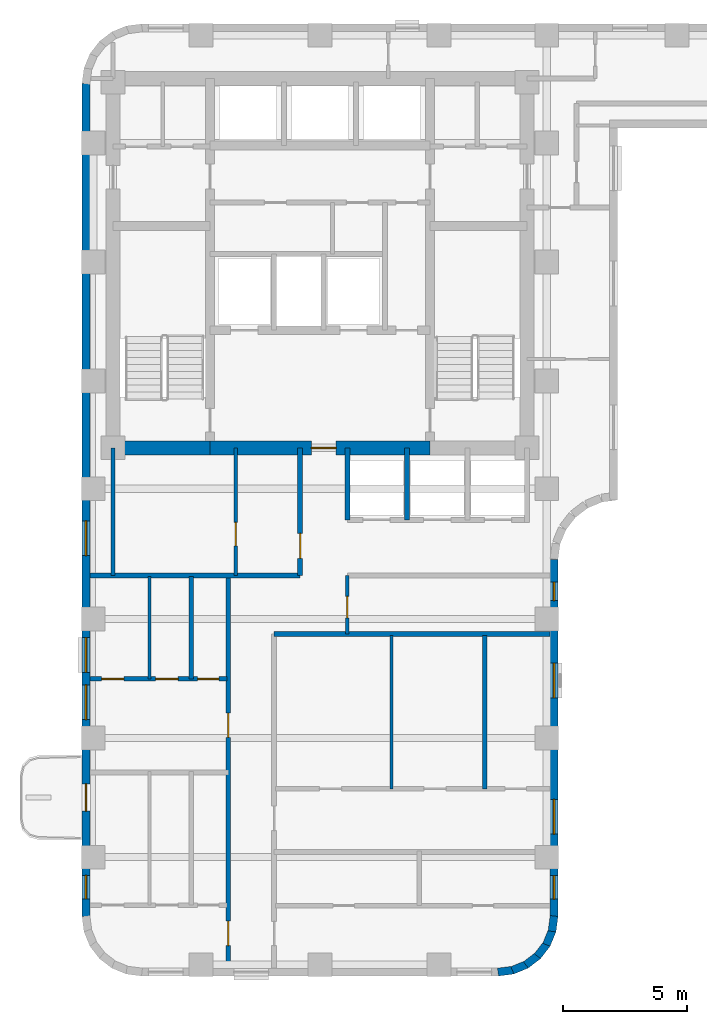
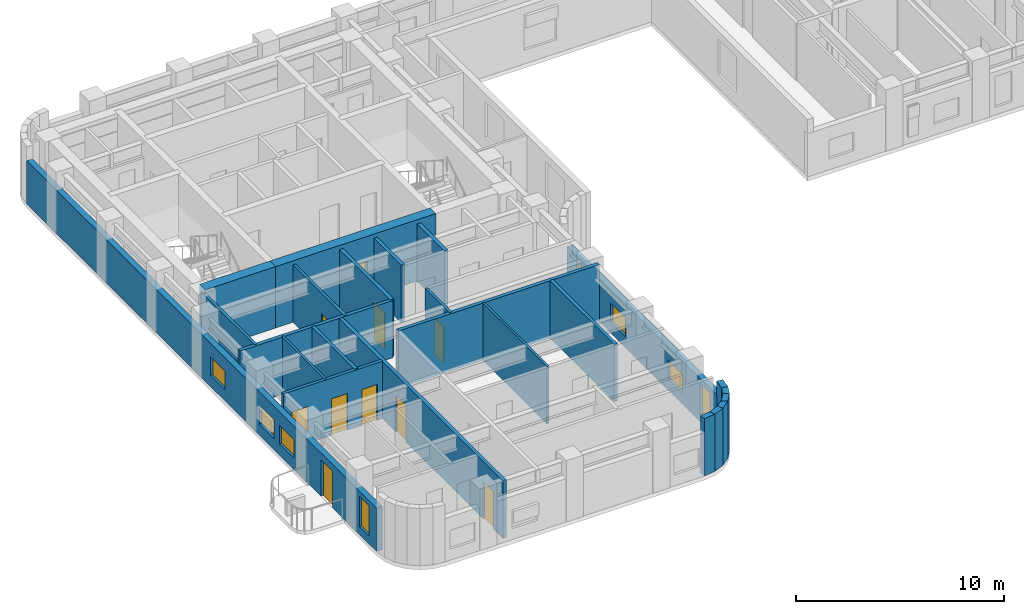
# One storey, part 3 of 10: 24 walls, 10 doors, 8 windows, 18 openings.
"""IFC4 building model written with IfcOpenShell, lengths in metres."""

from ifc_helpers import new_model, si_unit, direction, frame, frame_2d, origin, place, context, subcontext, project, spatial, rectangle, extrude, material, layer, layer_set, type_object, element, fill, save


model = new_model("IFC4")

# Units and contexts
model_context = context("Model", 3, precision=1e-05, world=origin(), true_north=direction((0.0, 1.0)))
body_context = subcontext(model_context, "Body", "Model", "MODEL_VIEW")
ifc_project = project(units=[si_unit("LENGTHUNIT", "METRE"), si_unit("AREAUNIT", "SQUARE_METRE"), si_unit("VOLUMEUNIT", "CUBIC_METRE"), si_unit("PLANEANGLEUNIT", "RADIAN"), si_unit("MASSUNIT", "GRAM", prefix="KILO")], contexts=[model_context])

# Site, building, storey
site_placement = place(None, origin())
site = spatial("IfcSite", under=ifc_project, at=site_placement, CompositionType="ELEMENT")
building_placement = place(site_placement, origin())
building = spatial("IfcBuilding", under=site, at=building_placement, Name="Orvandelia Arch Residences", CompositionType="ELEMENT")
storey_placement = place(building_placement, frame((0.0, 0.0, 179.199951171875)))
storey = spatial("IfcBuildingStorey", under=building, at=storey_placement, Name="L47", CompositionType="ELEMENT", Elevation=179.199951171875)

# Wall
ifc_material_1 = material(Name="Concrete C60/75", Category="concrete")
ifc_layer_1 = layer(ifc_material_1, 0.550048828125, Name="Concrete C60/75", Category="concrete")
ifc_layer_set_1 = layer_set([ifc_layer_1], Name="Concrete C60/75")
wall_type_1 = type_object("IfcWallType", Name="WL-CORE-550", PredefinedType="SHEAR", material=ifc_layer_set_1)
wall_1_placement = place(storey_placement, frame((6.050048828125, 30.89990234375, 0.0), z_axis=(0.0, 0.0, 1.0), x_axis=(1.0, 0.0, 0.0)))
element("IfcWall", 1, at=wall_1_placement, inside=storey, type_object=wall_type_1, Name="Core Shear Wall L47-SW", PredefinedType="SHEAR", context=body_context, shape_type="SweptSolid", body=[
    extrude(rectangle(XDim=3.909912109375, YDim=0.550048828125, at=frame_2d((1.955078125, 0.0))), origin(), (0.0, 0.0, 1.0), 3.60009765625),
])

# Wall, opening, door
wall_2_placement = place(storey_placement, frame((9.9599609375, 30.89990234375, 0.0), z_axis=(0.0, 0.0, 1.0), x_axis=(1.0, 0.0, 0.0)))
wall_2 = element("IfcWall", 2, at=wall_2_placement, inside=storey, type_object=wall_type_1, Name="Core Shear Wall L47-SM", PredefinedType="SHEAR", context=body_context, shape_type="SweptSolid", body=[
    extrude(rectangle(XDim=8.880126953125, YDim=0.550048828125, at=frame_2d((4.43994140625, 0.0))), origin(), (0.0, 0.0, 1.0), 3.60009765625),
])
opening_1_placement = place(wall_2_placement, frame((4.090087890625, 0.0, 0.0)))
opening_1 = element("IfcOpeningElement", 3, at=opening_1_placement, cuts=wall_2, Name="Opening D6", PredefinedType="OPENING", context=body_context, shape_type="SweptSolid", body=[
    extrude(rectangle(XDim=1.0, YDim=2.14990234375, at=frame_2d((0.5, 1.074951171875))), frame((0.0, 0.28515625, 0.0), z_axis=(0.0, -1.0, 0.0), x_axis=(1.0, 0.0, 0.0)), (0.0, 0.0, 1.0), 0.570068359375),
])
ifc_material_2 = material(Name="Smokeproof Painted Steel Fire Door", Category="steel")
door_type_1 = type_object("IfcDoorType", Name="DR-FD60-1000", OperationType="NOTDEFINED", PredefinedType="DOOR", material=ifc_material_2)
door_1_placement = place(opening_1_placement, origin())
door_1 = element("IfcDoor", 4, at=door_1_placement, inside=storey, type_object=door_type_1, Name="Firefighting Lobby Smokeproof Door L47", OperationType="SINGLE_SWING_LEFT", OverallHeight=2.14990234375, OverallWidth=1.0, PredefinedType="DOOR", context=body_context, shape_type="SweptSolid", body=[
    extrude(rectangle(XDim=1.0, YDim=2.14990234375, at=frame_2d((0.5, 1.074951171875))), frame((0.0, 0.02490234375, 0.0), z_axis=(0.0, -1.0, 0.0), x_axis=(1.0, 0.0, 0.0)), (0.0, 0.0, 1.0), 0.050048828125),
])
fill(opening_1, door_1)

# Wall, openings, doors
ifc_material_3 = material(Name="Fire-Rated Corridor Partition")
ifc_layer_2 = layer(ifc_material_3, 0.199951171875, Name="Fire-Rated Corridor Partition")
ifc_layer_set_2 = layer_set([ifc_layer_2], Name="Fire-Rated Corridor Partition")
wall_type_2 = type_object("IfcWallType", Name="WL-CORR-200", PredefinedType="PARTITIONING", material=ifc_layer_set_2)
wall_3_placement = place(storey_placement, frame((10.699951171875, 9.919921875, 0.0), z_axis=(0.0, 0.0, 1.0), x_axis=(0.0, 1.0, 0.0)))
wall_3 = element("IfcWall", 5, at=wall_3_placement, inside=storey, type_object=wall_type_2, Name="Interior Partition Wall WL-L47-WC-W", PredefinedType="PARTITIONING", context=body_context, shape_type="SweptSolid", body=[
    extrude(rectangle(XDim=15.830078125, YDim=0.199951171875, at=frame_2d((7.9150390625, 0.0))), origin(), (0.0, 0.0, 1.0), 3.360107421875),
])
opening_2_placement = place(wall_3_placement, frame((0.910888671875, 0.0, 0.0)))
opening_2 = element("IfcOpeningElement", 6, at=opening_2_placement, cuts=wall_3, Name="Opening D1", PredefinedType="OPENING", context=body_context, shape_type="SweptSolid", body=[
    extrude(rectangle(XDim=0.97998046875, YDim=2.179931640625, at=frame_2d((0.489990234375, 1.08984375))), frame((0.0, 0.10986328125, 0.0), z_axis=(0.0, -1.0, 0.0), x_axis=(1.0, 0.0, 0.0)), (0.0, 0.0, 1.0), 0.219970703125),
])
opening_3_placement = place(wall_3_placement, frame((9.302001953125, 0.0, 0.0)))
opening_3 = element("IfcOpeningElement", 7, at=opening_3_placement, cuts=wall_3, Name="Opening D1", PredefinedType="OPENING", context=body_context, shape_type="SweptSolid", body=[
    extrude(rectangle(XDim=0.97998046875, YDim=2.179931640625, at=frame_2d((0.489990234375, 1.08984375))), frame((0.0, 0.10986328125, 0.0), z_axis=(0.0, -1.0, 0.0), x_axis=(1.0, 0.0, 0.0)), (0.0, 0.0, 1.0), 0.219970703125),
])
ifc_material_4 = material(Name="Solid-Core Timber Acoustic Fire Door", Category="wood")
door_type_2 = type_object("IfcDoorType", Name="DR-ENT-980", OperationType="NOTDEFINED", PredefinedType="DOOR", material=ifc_material_4)
door_2_placement = place(opening_2_placement, origin())
door_2 = element("IfcDoor", 8, at=door_2_placement, inside=storey, type_object=door_type_2, Name="Unit L47-01 Entrance Door", OperationType="SINGLE_SWING_LEFT", OverallHeight=2.179931640625, OverallWidth=0.97998046875, PredefinedType="DOOR", context=body_context, shape_type="SweptSolid", body=[
    extrude(rectangle(XDim=0.97998046875, YDim=2.179931640625, at=frame_2d((0.489990234375, 1.08984375))), frame((0.0, 0.02490234375, 0.0), z_axis=(0.0, -1.0, 0.0), x_axis=(1.0, 0.0, 0.0)), (0.0, 0.0, 1.0), 0.050048828125),
])
fill(opening_2, door_2)
door_3_placement = place(opening_3_placement, origin())
door_3 = element("IfcDoor", 9, at=door_3_placement, inside=storey, type_object=door_type_2, Name="Unit L47-02 Entrance Door", OperationType="SINGLE_SWING_RIGHT", OverallHeight=2.179931640625, OverallWidth=0.97998046875, PredefinedType="DOOR", context=body_context, shape_type="SweptSolid", body=[
    extrude(rectangle(XDim=0.97998046875, YDim=2.179931640625, at=frame_2d((0.489990234375, 1.08984375))), frame((0.0, 0.02490234375, 0.0), z_axis=(0.0, -1.0, 0.0), x_axis=(1.0, 0.0, 0.0)), (0.0, 0.0, 1.0), 0.050048828125),
])
fill(opening_3, door_3)

# Walls
wall_4_placement = place(storey_placement, frame((12.550048828125, 23.39990234375, 0.0), z_axis=(0.0, 0.0, 1.0), x_axis=(1.0, 0.0, 0.0)))
element("IfcWall", 10, at=wall_4_placement, inside=storey, type_object=wall_type_2, Name="Interior Partition Wall WL-L47-WLNK-S", PredefinedType="PARTITIONING", context=body_context, shape_type="SweptSolid", body=[
    extrude(rectangle(XDim=11.1298828125, YDim=0.199951171875, at=frame_2d((5.56494140625, 0.0))), origin(), (0.0, 0.0, 1.0), 3.360107421875),
])
wall_5_placement = place(storey_placement, frame((5.1201171875, 25.75, 0.0), z_axis=(0.0, 0.0, 1.0), x_axis=(1.0, 0.0, 0.0)))
element("IfcWall", 11, at=wall_5_placement, inside=storey, type_object=wall_type_2, Name="Interior Partition Wall WL-L47-WLNK-N", PredefinedType="PARTITIONING", context=body_context, shape_type="SweptSolid", body=[
    extrude(rectangle(XDim=8.47998046875, YDim=0.199951171875, at=frame_2d((4.239990234375, 0.0))), origin(), (0.0, 0.0, 1.0), 3.360107421875),
])

# Wall, openings, windows
ifc_material_5 = material(Name="Precast concrete C40/50", Category="concrete")
ifc_layer_3 = layer(ifc_material_5, 0.320068359375, Name="Precast concrete C40/50", Category="concrete")
ifc_layer_set_3 = layer_set([ifc_layer_3], Name="Precast concrete C40/50")
wall_type_3 = type_object("IfcWallType", Name="WL-EXT-STONE-320", PredefinedType="STANDARD", material=ifc_layer_set_3)
wall_6_placement = place(storey_placement, frame((23.840087890625, 26.39990234375, 0.0), z_axis=(0.0, 0.0, 1.0), x_axis=(0.0, -1.0, 0.0)))
wall_6 = element("IfcWall", 12, at=wall_6_placement, inside=storey, type_object=wall_type_3, Name="Coral-Limestone Precast Facade Wall L47-031", PredefinedType="STANDARD", context=body_context, shape_type="SweptSolid", body=[
    extrude(rectangle(XDim=14.39990234375, YDim=0.320068359375, at=frame_2d((7.199951171875, 0.0))), origin(), (0.0, 0.0, 1.0), 2.5400390625),
])
opening_4_placement = place(wall_6_placement, frame((9.676025390625, 0.0, 0.64990234375)))
opening_4 = element("IfcOpeningElement", 13, at=opening_4_placement, cuts=wall_6, Name="Opening W10", PredefinedType="OPENING", context=body_context, shape_type="SweptSolid", body=[
    extrude(rectangle(XDim=1.39990234375, YDim=1.10009765625, at=frame_2d((0.699951171875, 0.550048828125))), frame((0.0, 0.169921875, 0.0), z_axis=(0.0, -1.0, 0.0), x_axis=(1.0, 0.0, 0.0)), (0.0, 0.0, 1.0), 0.340087890625),
])
opening_5_placement = place(wall_6_placement, frame((12.75048828125, 0.0, 0.449951171875)))
opening_5 = element("IfcOpeningElement", 14, at=opening_5_placement, cuts=wall_6, Name="Opening W4", PredefinedType="OPENING", context=body_context, shape_type="SweptSolid", body=[
    extrude(rectangle(XDim=0.949951171875, YDim=1.800048828125, at=frame_2d((0.47509765625, 0.89990234375))), frame((0.0, 0.169921875, 0.0), z_axis=(0.0, -1.0, 0.0), x_axis=(1.0, 0.0, 0.0)), (0.0, 0.0, 1.0), 0.340087890625),
])
opening_6_placement = place(wall_6_placement, frame((4.1826171875, 0.0, 0.64990234375)))
opening_6 = element("IfcOpeningElement", 15, at=opening_6_placement, cuts=wall_6, Name="Opening W10", PredefinedType="OPENING", context=body_context, shape_type="SweptSolid", body=[
    extrude(rectangle(XDim=1.39990234375, YDim=1.10009765625, at=frame_2d((0.699951171875, 0.550048828125))), frame((0.0, 0.169921875, 0.0), z_axis=(0.0, -1.0, 0.0), x_axis=(1.0, 0.0, 0.0)), (0.0, 0.0, 1.0), 0.340087890625),
])
opening_7_placement = place(wall_6_placement, frame((0.907470703125, 0.0, 0.449951171875)))
opening_7 = element("IfcOpeningElement", 16, at=opening_7_placement, cuts=wall_6, Name="Opening W11", PredefinedType="OPENING", context=body_context, shape_type="SweptSolid", body=[
    extrude(rectangle(XDim=0.75, YDim=1.800048828125, at=frame_2d((0.375, 0.89990234375))), frame((0.0, 0.169921875, 0.0), z_axis=(0.0, -1.0, 0.0), x_axis=(1.0, 0.0, 0.0)), (0.0, 0.0, 1.0), 0.340087890625),
])
ifc_material_6 = material(Name="Tempered Low-E Insulated Glazing", Category="glass")
window_type_1 = type_object("IfcWindowType", Name="WIN-BED-0750x1800", PartitioningType="SINGLE_PANEL", PredefinedType="WINDOW", material=ifc_material_6)
window_1_placement = place(opening_7_placement, origin())
window_1 = element("IfcWindow", 17, at=window_1_placement, inside=storey, type_object=window_type_1, Name="Recessed Punched Window L47-019", OverallHeight=1.800048828125, OverallWidth=0.75, PartitioningType="SINGLE_PANEL", PredefinedType="WINDOW", context=body_context, shape_type="SweptSolid", body=[
    extrude(rectangle(XDim=0.75, YDim=1.800048828125, at=frame_2d((0.375, 0.89990234375))), frame((0.0, 0.030029296875, 0.0), z_axis=(0.0, -1.0, 0.0), x_axis=(1.0, 0.0, 0.0)), (0.0, 0.0, 1.0), 0.06005859375),
])
fill(opening_7, window_1)
window_type_2 = type_object("IfcWindowType", Name="WIN-CLR-1400x1100", PartitioningType="SINGLE_PANEL", PredefinedType="WINDOW", material=ifc_material_6)
window_2_placement = place(opening_4_placement, origin())
window_2 = element("IfcWindow", 18, at=window_2_placement, inside=storey, type_object=window_type_2, Name="Recessed Punched Window L47-016", OverallHeight=1.10009765625, OverallWidth=1.39990234375, PartitioningType="SINGLE_PANEL", PredefinedType="WINDOW", context=body_context, shape_type="SweptSolid", body=[
    extrude(rectangle(XDim=1.39990234375, YDim=1.10009765625, at=frame_2d((0.699951171875, 0.550048828125))), frame((0.0, 0.030029296875, 0.0), z_axis=(0.0, -1.0, 0.0), x_axis=(1.0, 0.0, 0.0)), (0.0, 0.0, 1.0), 0.06005859375),
])
fill(opening_4, window_2)
window_3_placement = place(opening_6_placement, origin())
window_3 = element("IfcWindow", 19, at=window_3_placement, inside=storey, type_object=window_type_2, Name="Recessed Punched Window L47-018", OverallHeight=1.10009765625, OverallWidth=1.39990234375, PartitioningType="SINGLE_PANEL", PredefinedType="WINDOW", context=body_context, shape_type="SweptSolid", body=[
    extrude(rectangle(XDim=1.39990234375, YDim=1.10009765625, at=frame_2d((0.699951171875, 0.550048828125))), frame((0.0, 0.030029296875, 0.0), z_axis=(0.0, -1.0, 0.0), x_axis=(1.0, 0.0, 0.0)), (0.0, 0.0, 1.0), 0.06005859375),
])
fill(opening_6, window_3)
window_type_3 = type_object("IfcWindowType", Name="WIN-RES-0950x1800", PartitioningType="SINGLE_PANEL", PredefinedType="WINDOW", material=ifc_material_6)
window_4_placement = place(opening_5_placement, origin())
window_4 = element("IfcWindow", 20, at=window_4_placement, inside=storey, type_object=window_type_3, Name="Recessed Punched Window L47-017", OverallHeight=1.800048828125, OverallWidth=0.949951171875, PartitioningType="SINGLE_PANEL", PredefinedType="WINDOW", context=body_context, shape_type="SweptSolid", body=[
    extrude(rectangle(XDim=0.949951171875, YDim=1.800048828125, at=frame_2d((0.47509765625, 0.89990234375))), frame((0.0, 0.030029296875, 0.0), z_axis=(0.0, -1.0, 0.0), x_axis=(1.0, 0.0, 0.0)), (0.0, 0.0, 1.0), 0.06005859375),
])
fill(opening_5, window_4)

# Walls
wall_7_placement = place(storey_placement, frame((23.84130859375, 12.02099609375, 0.0), z_axis=(0.0, 0.0, 1.0), x_axis=(-0.130504898859, -0.991447664465, 0.0)))
element("IfcWall", 21, at=wall_7_placement, inside=storey, type_object=wall_type_3, Name="Coral-Limestone Precast Facade Wall L47-032", PredefinedType="STANDARD", context=body_context, shape_type="SweptSolid", body=[
    extrude(rectangle(XDim=0.626708984375, YDim=0.320068359375, at=frame_2d((0.3134765625, 0.0))), origin(), (0.0, 0.0, 1.0), 3.360107421875),
])
for number, where, z_axis, x_axis, name in (
    (22, (23.7705078125, 11.43994140625, 0.0), (0.0, 0.0, 1.0), (-0.382650053678, -0.92389335771, 0.0), "Coral-Limestone Precast Facade Wall L47-033"),
    (23, (23.551513671875, 10.8974609375, 0.0), (0.0, 0.0, 1.0), (-0.608693302629, -0.793405610854, 0.0), "Coral-Limestone Precast Facade Wall L47-034"),
    (24, (23.19970703125, 10.4296875, 0.0), (0.0, 0.0, 1.0), (-0.793405610854, -0.608693302629, 0.0), "Coral-Limestone Precast Facade Wall L47-035"),
    (25, (22.73876953125, 10.0693359375, 0.0), (0.0, 0.0, 1.0), (-0.92389335771, -0.382650053678, 0.0), "Coral-Limestone Precast Facade Wall L47-036"),
    (26, (22.2001953125, 9.84033203125, 0.0), (0.0, 0.0, 1.0), (-0.9914410257, -0.130555323746, 0.0), "Coral-Limestone Precast Facade Wall L47-037"),
):
    element("IfcWall", number, at=place(storey_placement, frame(where, z_axis=z_axis, x_axis=x_axis)), inside=storey, type_object=wall_type_3, Name=name, PredefinedType="STANDARD", context=body_context, shape_type="SweptSolid", body=[
        extrude(rectangle(XDim=0.62646484375, YDim=0.320068359375, at=frame_2d((0.313232421875, 0.0))), origin(), (0.0, 0.0, 1.0), 3.360107421875),
    ])

# Wall, openings, door, windows
wall_8_placement = place(storey_placement, frame((4.9599609375, 12.0, 0.0), z_axis=(0.0, 0.0, 1.0), x_axis=(0.0, 1.0, 0.0)))
wall_8 = element("IfcWall", 27, at=wall_8_placement, inside=storey, type_object=wall_type_3, Name="Coral-Limestone Precast Facade Wall L47-045", PredefinedType="STANDARD", context=body_context, shape_type="SweptSolid", body=[
    extrude(rectangle(XDim=33.60009765625, YDim=0.320068359375, at=frame_2d((16.800048828125, 0.0))), origin(), (0.0, 0.0, 1.0), 2.5400390625),
])
opening_8_placement = place(wall_8_placement, frame((4.25, 0.0, 0.0)))
opening_8 = element("IfcOpeningElement", 28, at=opening_8_placement, cuts=wall_8, Name="Opening BD1", PredefinedType="OPENING", context=body_context, shape_type="SweptSolid", body=[
    extrude(rectangle(XDim=1.10009765625, YDim=2.14990234375, at=frame_2d((0.550048828125, 1.074951171875))), frame((0.0, 0.169921875, 0.0), z_axis=(0.0, -1.0, 0.0), x_axis=(1.0, 0.0, 0.0)), (0.0, 0.0, 1.0), 0.340087890625),
])
opening_9_placement = place(wall_8_placement, frame((0.70849609375, 0.0, 0.449951171875)))
opening_9 = element("IfcOpeningElement", 29, at=opening_9_placement, cuts=wall_8, Name="Opening W4", PredefinedType="OPENING", context=body_context, shape_type="SweptSolid", body=[
    extrude(rectangle(XDim=0.949951171875, YDim=1.800048828125, at=frame_2d((0.47509765625, 0.89990234375))), frame((0.0, 0.169921875, 0.0), z_axis=(0.0, -1.0, 0.0), x_axis=(1.0, 0.0, 0.0)), (0.0, 0.0, 1.0), 0.340087890625),
])
opening_10_placement = place(wall_8_placement, frame((9.844482421875, 0.0, 0.64990234375)))
opening_10 = element("IfcOpeningElement", 30, at=opening_10_placement, cuts=wall_8, Name="Opening W10", PredefinedType="OPENING", context=body_context, shape_type="SweptSolid", body=[
    extrude(rectangle(XDim=1.39990234375, YDim=1.10009765625, at=frame_2d((0.699951171875, 0.550048828125))), frame((0.0, 0.169921875, 0.0), z_axis=(0.0, -1.0, 0.0), x_axis=(1.0, 0.0, 0.0)), (0.0, 0.0, 1.0), 0.340087890625),
])
opening_11_placement = place(wall_8_placement, frame((7.939453125, 0.0, 0.64990234375)))
opening_11 = element("IfcOpeningElement", 31, at=opening_11_placement, cuts=wall_8, Name="Opening W10", PredefinedType="OPENING", context=body_context, shape_type="SweptSolid", body=[
    extrude(rectangle(XDim=1.39990234375, YDim=1.10009765625, at=frame_2d((0.699951171875, 0.550048828125))), frame((0.0, 0.169921875, 0.0), z_axis=(0.0, -1.0, 0.0), x_axis=(1.0, 0.0, 0.0)), (0.0, 0.0, 1.0), 0.340087890625),
])
opening_12_placement = place(wall_8_placement, frame((14.5576171875, 0.0, 0.64990234375)))
opening_12 = element("IfcOpeningElement", 32, at=opening_12_placement, cuts=wall_8, Name="Opening W10", PredefinedType="OPENING", context=body_context, shape_type="SweptSolid", body=[
    extrude(rectangle(XDim=1.39990234375, YDim=1.10009765625, at=frame_2d((0.699951171875, 0.550048828125))), frame((0.0, 0.169921875, 0.0), z_axis=(0.0, -1.0, 0.0), x_axis=(1.0, 0.0, 0.0)), (0.0, 0.0, 1.0), 0.340087890625),
])
ifc_material_7 = material(Name="Thermally Broken Aluminium Glazed Door", Category="aluminium")
door_type_3 = type_object("IfcDoorType", Name="DR-BAL-GLAZ-1100", OperationType="NOTDEFINED", PredefinedType="DOOR", material=ifc_material_7)
door_4_placement = place(opening_8_placement, origin())
door_4 = element("IfcDoor", 33, at=door_4_placement, inside=storey, type_object=door_type_3, Name="Tree Balcony Glazed Door BAL-L47-W1", OperationType="SINGLE_SWING_RIGHT", OverallHeight=2.14990234375, OverallWidth=1.10009765625, PredefinedType="DOOR", context=body_context, shape_type="SweptSolid", body=[
    extrude(rectangle(XDim=1.10009765625, YDim=2.14990234375, at=frame_2d((0.550048828125, 1.074951171875))), frame((0.0, 0.02490234375, 0.0), z_axis=(0.0, -1.0, 0.0), x_axis=(1.0, 0.0, 0.0)), (0.0, 0.0, 1.0), 0.050048828125),
])
fill(opening_8, door_4)
window_5_placement = place(opening_10_placement, origin())
window_5 = element("IfcWindow", 34, at=window_5_placement, inside=storey, type_object=window_type_2, Name="Recessed Punched Window L47-024", OverallHeight=1.10009765625, OverallWidth=1.39990234375, PartitioningType="SINGLE_PANEL", PredefinedType="WINDOW", context=body_context, shape_type="SweptSolid", body=[
    extrude(rectangle(XDim=1.39990234375, YDim=1.10009765625, at=frame_2d((0.699951171875, 0.550048828125))), frame((0.0, 0.030029296875, 0.0), z_axis=(0.0, -1.0, 0.0), x_axis=(1.0, 0.0, 0.0)), (0.0, 0.0, 1.0), 0.06005859375),
])
fill(opening_10, window_5)
window_6_placement = place(opening_11_placement, origin())
window_6 = element("IfcWindow", 35, at=window_6_placement, inside=storey, type_object=window_type_2, Name="Recessed Punched Window L47-025", OverallHeight=1.10009765625, OverallWidth=1.39990234375, PartitioningType="SINGLE_PANEL", PredefinedType="WINDOW", context=body_context, shape_type="SweptSolid", body=[
    extrude(rectangle(XDim=1.39990234375, YDim=1.10009765625, at=frame_2d((0.699951171875, 0.550048828125))), frame((0.0, 0.030029296875, 0.0), z_axis=(0.0, -1.0, 0.0), x_axis=(1.0, 0.0, 0.0)), (0.0, 0.0, 1.0), 0.06005859375),
])
fill(opening_11, window_6)
window_7_placement = place(opening_12_placement, origin())
window_7 = element("IfcWindow", 36, at=window_7_placement, inside=storey, type_object=window_type_2, Name="Recessed Punched Window L47-026", OverallHeight=1.10009765625, OverallWidth=1.39990234375, PartitioningType="SINGLE_PANEL", PredefinedType="WINDOW", context=body_context, shape_type="SweptSolid", body=[
    extrude(rectangle(XDim=1.39990234375, YDim=1.10009765625, at=frame_2d((0.699951171875, 0.550048828125))), frame((0.0, 0.030029296875, 0.0), z_axis=(0.0, -1.0, 0.0), x_axis=(1.0, 0.0, 0.0)), (0.0, 0.0, 1.0), 0.06005859375),
])
fill(opening_12, window_7)
window_8_placement = place(opening_9_placement, origin())
window_8 = element("IfcWindow", 37, at=window_8_placement, inside=storey, type_object=window_type_3, Name="Recessed Punched Window L47-023", OverallHeight=1.800048828125, OverallWidth=0.949951171875, PartitioningType="SINGLE_PANEL", PredefinedType="WINDOW", context=body_context, shape_type="SweptSolid", body=[
    extrude(rectangle(XDim=0.949951171875, YDim=1.800048828125, at=frame_2d((0.47509765625, 0.89990234375))), frame((0.0, 0.030029296875, 0.0), z_axis=(0.0, -1.0, 0.0), x_axis=(1.0, 0.0, 0.0)), (0.0, 0.0, 1.0), 0.06005859375),
])
fill(opening_9, window_8)

# Walls
ifc_material_8 = material(Name="Lightweight Gypsum Stud Partition")
ifc_layer_4 = layer(ifc_material_8, 0.1201171875, Name="Lightweight Gypsum Stud Partition")
ifc_layer_set_4 = layer_set([ifc_layer_4], Name="Lightweight Gypsum Stud Partition")
wall_type_4 = type_object("IfcWallType", Name="WL-PART-120", PredefinedType="PARTITIONING", material=ifc_layer_set_4)
wall_9_placement = place(storey_placement, frame((7.514892578125, 21.583984375, 0.0), z_axis=(0.0, 0.0, 1.0), x_axis=(0.0, 1.0, 0.0)))
element("IfcWall", 38, at=wall_9_placement, inside=storey, type_object=wall_type_4, Name="Interior Partition Wall WL-L47-U02-V1", PredefinedType="PARTITIONING", context=body_context, shape_type="SweptSolid", body=[
    extrude(rectangle(XDim=4.135986328125, YDim=0.1201171875, at=frame_2d((2.06787109375, 0.0))), origin(), (0.0, 0.0, 1.0), 3.360107421875),
])
wall_10_placement = place(storey_placement, frame((17.284912109375, 17.153076171875, 0.0), z_axis=(0.0, 0.0, 1.0), x_axis=(0.0, 1.0, 0.0)))
element("IfcWall", 39, at=wall_10_placement, inside=storey, type_object=wall_type_4, Name="Interior Partition Wall WL-L47-U04-V1", PredefinedType="PARTITIONING", context=body_context, shape_type="SweptSolid", body=[
    extrude(rectangle(XDim=6.18701171875, YDim=0.1201171875, at=frame_2d((3.093505859375, 0.0))), origin(), (0.0, 0.0, 1.0), 3.360107421875),
])
ifc_material_9 = material(Name="Acoustic Gypsum Stud Partition")
ifc_layer_5 = layer(ifc_material_9, 0.14990234375, Name="Acoustic Gypsum Stud Partition")
ifc_layer_set_5 = layer_set([ifc_layer_5], Name="Acoustic Gypsum Stud Partition")
wall_type_5 = type_object("IfcWallType", Name="WL-PART-150", PredefinedType="PARTITIONING", material=ifc_layer_set_5)
wall_11_placement = place(storey_placement, frame((6.050048828125, 25.75, 0.0), z_axis=(0.0, 0.0, 1.0), x_axis=(0.0, 1.0, 0.0)))
element("IfcWall", 40, at=wall_11_placement, inside=storey, type_object=wall_type_5, Name="Interior Partition Wall WL-L47-B1REUSE-W", PredefinedType="PARTITIONING", context=body_context, shape_type="SweptSolid", body=[
    extrude(rectangle(XDim=5.14990234375, YDim=0.14990234375, at=frame_2d((2.574951171875, 0.0))), origin(), (0.0, 0.0, 1.0), 3.360107421875),
])

# Wall, opening, door
wall_12_placement = place(storey_placement, frame((11.0, 25.75, 0.0), z_axis=(0.0, 0.0, 1.0), x_axis=(0.0, 1.0, 0.0)))
wall_12 = element("IfcWall", 41, at=wall_12_placement, inside=storey, type_object=wall_type_5, Name="Interior Partition Wall WL-L47-B1R-M2", PredefinedType="PARTITIONING", context=body_context, shape_type="SweptSolid", body=[
    extrude(rectangle(XDim=5.14990234375, YDim=0.14990234375, at=frame_2d((2.574951171875, 0.0))), origin(), (0.0, 0.0, 1.0), 3.360107421875),
])
opening_13_placement = place(wall_12_placement, frame((1.199951171875, 0.0, 0.0)))
opening_13 = element("IfcOpeningElement", 42, at=opening_13_placement, cuts=wall_12, Name="Opening D2", PredefinedType="OPENING", context=body_context, shape_type="SweptSolid", body=[
    extrude(rectangle(XDim=0.949951171875, YDim=2.14990234375, at=frame_2d((0.47509765625, 1.074951171875))), frame((0.0, 0.0849609375, 0.0), z_axis=(0.0, -1.0, 0.0), x_axis=(1.0, 0.0, 0.0)), (0.0, 0.0, 1.0), 0.169921875),
])
ifc_material_10 = material(Name="Solid-Core Timber Interior Fire Door", Category="wood")
door_type_4 = type_object("IfcDoorType", Name="DR-APT-950", OperationType="NOTDEFINED", PredefinedType="DOOR", material=ifc_material_10)
door_5_placement = place(opening_13_placement, origin())
door_5 = element("IfcDoor", 43, at=door_5_placement, inside=storey, type_object=door_type_4, Name="DR-L47-B1RW", OperationType="SINGLE_SWING_LEFT", OverallHeight=2.14990234375, OverallWidth=0.949951171875, PredefinedType="DOOR", context=body_context, shape_type="SweptSolid", body=[
    extrude(rectangle(XDim=0.949951171875, YDim=2.14990234375, at=frame_2d((0.47509765625, 1.074951171875))), frame((0.0, 0.02490234375, 0.0), z_axis=(0.0, -1.0, 0.0), x_axis=(1.0, 0.0, 0.0)), (0.0, 0.0, 1.0), 0.050048828125),
])
fill(opening_13, door_5)

wall_13_placement = place(storey_placement, frame((15.5, 23.39990234375, 0.0), z_axis=(0.0, 0.0, 1.0), x_axis=(0.0, 1.0, 0.0)))
wall_13 = element("IfcWall", 44, at=wall_13_placement, inside=storey, type_object=wall_type_5, Name="Interior Partition Wall WL-L47-WLNK-E", PredefinedType="PARTITIONING", context=body_context, shape_type="SweptSolid", body=[
    extrude(rectangle(XDim=2.35009765625, YDim=0.14990234375, at=frame_2d((1.175048828125, 0.0))), origin(), (0.0, 0.0, 1.0), 3.360107421875),
])
opening_14_placement = place(wall_13_placement, frame((0.64990234375, 0.0, 0.0)))
opening_14 = element("IfcOpeningElement", 45, at=opening_14_placement, cuts=wall_13, Name="Opening D4", PredefinedType="OPENING", context=body_context, shape_type="SweptSolid", body=[
    extrude(rectangle(XDim=0.860107421875, YDim=2.10009765625, at=frame_2d((0.43017578125, 1.050048828125))), frame((0.0, 0.0849609375, 0.0), z_axis=(0.0, -1.0, 0.0), x_axis=(1.0, 0.0, 0.0)), (0.0, 0.0, 1.0), 0.169921875),
])
ifc_material_11 = material(Name="Moisture-Sealed Timber Bathroom Door", Category="wood")
door_type_5 = type_object("IfcDoorType", Name="DR-WET-900", OperationType="NOTDEFINED", PredefinedType="DOOR", material=ifc_material_11)
door_6_placement = place(opening_14_placement, origin())
door_6 = element("IfcDoor", 46, at=door_6_placement, inside=storey, type_object=door_type_5, Name="DR-L47-WLNKST", OperationType="SINGLE_SWING_RIGHT", OverallHeight=2.10009765625, OverallWidth=0.860107421875, PredefinedType="DOOR", context=body_context, shape_type="SweptSolid", body=[
    extrude(rectangle(XDim=0.860107421875, YDim=2.10009765625, at=frame_2d((0.43017578125, 1.050048828125))), frame((0.0, 0.02490234375, 0.0), z_axis=(0.0, -1.0, 0.0), x_axis=(1.0, 0.0, 0.0)), (0.0, 0.0, 1.0), 0.050048828125),
])
fill(opening_14, door_6)

ifc_material_12 = material(Name="Fire-Rated Shaft Enclosure Wall")
ifc_layer_6 = layer(ifc_material_12, 0.199951171875, Name="Fire-Rated Shaft Enclosure Wall")
ifc_layer_set_6 = layer_set([ifc_layer_6], Name="Fire-Rated Shaft Enclosure Wall")
wall_type_6 = type_object("IfcWallType", Name="WL-SHAFT-200", PredefinedType="POLYGONAL", material=ifc_layer_set_6)
wall_14_placement = place(storey_placement, frame((13.60009765625, 25.75, 0.0), z_axis=(0.0, 0.0, 1.0), x_axis=(0.0, 1.0, 0.0)))
wall_14 = element("IfcWall", 47, at=wall_14_placement, inside=storey, type_object=wall_type_6, Name="Interior Partition Wall WL-L47-B1REUSE-E", PredefinedType="POLYGONAL", context=body_context, shape_type="SweptSolid", body=[
    extrude(rectangle(XDim=5.14990234375, YDim=0.199951171875, at=frame_2d((2.574951171875, 0.0))), origin(), (0.0, 0.0, 1.0), 3.360107421875),
])
opening_15_placement = place(wall_14_placement, frame((0.699951171875, 0.0, 0.0)))
opening_15 = element("IfcOpeningElement", 48, at=opening_15_placement, cuts=wall_14, Name="Opening D6", PredefinedType="OPENING", context=body_context, shape_type="SweptSolid", body=[
    extrude(rectangle(XDim=1.0, YDim=2.14990234375, at=frame_2d((0.5, 1.074951171875))), frame((0.0, 0.10986328125, 0.0), z_axis=(0.0, -1.0, 0.0), x_axis=(1.0, 0.0, 0.0)), (0.0, 0.0, 1.0), 0.219970703125),
])
door_7_placement = place(opening_15_placement, origin())
door_7 = element("IfcDoor", 49, at=door_7_placement, inside=storey, type_object=door_type_1, Name="DR-L47-B1RE", OperationType="SINGLE_SWING_LEFT", OverallHeight=2.14990234375, OverallWidth=1.0, PredefinedType="DOOR", context=body_context, shape_type="SweptSolid", body=[
    extrude(rectangle(XDim=1.0, YDim=2.14990234375, at=frame_2d((0.5, 1.074951171875))), frame((0.0, 0.02490234375, 0.0), z_axis=(0.0, -1.0, 0.0), x_axis=(1.0, 0.0, 0.0)), (0.0, 0.0, 1.0), 0.050048828125),
])
fill(opening_15, door_7)

# Walls
for number, where, z_axis, x_axis, name in (
    (50, (15.5, 28.0, 0.0), (0.0, 0.0, 1.0), (0.0, 1.0, 0.0), "Interior Partition Wall WL-L47-BNKM-W"),
    (51, (17.89990234375, 28.0, 0.0), (0.0, 0.0, 1.0), (0.0, 1.0, 0.0), "Interior Partition Wall WL-L47-BNKMD-1789"),
):
    element("IfcWall", number, at=place(storey_placement, frame(where, z_axis=z_axis, x_axis=x_axis)), inside=storey, type_object=wall_type_6, Name=name, PredefinedType="POLYGONAL", context=body_context, shape_type="SweptSolid", body=[
        extrude(rectangle(XDim=2.89990234375, YDim=0.199951171875, at=frame_2d((1.449951171875, 0.0))), origin(), (0.0, 0.0, 1.0), 3.360107421875),
    ])

# Wall, openings, doors
ifc_material_13 = material(Name="Moisture-Resistant Plumbing Wall")
ifc_layer_7 = layer(ifc_material_13, 0.179931640625, Name="Moisture-Resistant Plumbing Wall")
ifc_layer_set_7 = layer_set([ifc_layer_7], Name="Moisture-Resistant Plumbing Wall")
wall_type_7 = type_object("IfcWallType", Name="WL-WET-180", PredefinedType="PLUMBINGWALL", material=ifc_layer_set_7)
wall_15_placement = place(storey_placement, frame((5.1201171875, 21.583984375, 0.0), z_axis=(0.0, 0.0, 1.0), x_axis=(1.0, 0.0, 0.0)))
wall_15 = element("IfcWall", 52, at=wall_15_placement, inside=storey, type_object=wall_type_7, Name="Interior Partition Wall WL-L47-U02-HZ", PredefinedType="PLUMBINGWALL", context=body_context, shape_type="SweptSolid", body=[
    extrude(rectangle(XDim=5.519775390625, YDim=0.179931640625, at=frame_2d((2.759765625, 0.0))), origin(), (0.0, 0.0, 1.0), 3.360107421875),
])
opening_16_placement = place(wall_15_placement, frame((0.47216796875, 0.0, 0.0)))
opening_16 = element("IfcOpeningElement", 53, at=opening_16_placement, cuts=wall_15, Name="Opening D3", PredefinedType="OPENING", context=body_context, shape_type="SweptSolid", body=[
    extrude(rectangle(XDim=0.89990234375, YDim=2.14990234375, at=frame_2d((0.449951171875, 1.074951171875))), frame((0.0, 0.10009765625, 0.0), z_axis=(0.0, -1.0, 0.0), x_axis=(1.0, 0.0, 0.0)), (0.0, 0.0, 1.0), 0.199951171875),
])
opening_17_placement = place(wall_15_placement, frame((2.655029296875, 0.0, 0.0)))
opening_17 = element("IfcOpeningElement", 54, at=opening_17_placement, cuts=wall_15, Name="Opening D3", PredefinedType="OPENING", context=body_context, shape_type="SweptSolid", body=[
    extrude(rectangle(XDim=0.89990234375, YDim=2.14990234375, at=frame_2d((0.449951171875, 1.074951171875))), frame((0.0, 0.10009765625, 0.0), z_axis=(0.0, -1.0, 0.0), x_axis=(1.0, 0.0, 0.0)), (0.0, 0.0, 1.0), 0.199951171875),
])
opening_18_placement = place(wall_15_placement, frame((4.342041015625, 0.0, 0.0)))
opening_18 = element("IfcOpeningElement", 55, at=opening_18_placement, cuts=wall_15, Name="Opening D4", PredefinedType="OPENING", context=body_context, shape_type="SweptSolid", body=[
    extrude(rectangle(XDim=0.860107421875, YDim=2.10009765625, at=frame_2d((0.43017578125, 1.050048828125))), frame((0.0, 0.10009765625, 0.0), z_axis=(0.0, -1.0, 0.0), x_axis=(1.0, 0.0, 0.0)), (0.0, 0.0, 1.0), 0.199951171875),
])
ifc_material_14 = material(Name="Engineered Timber Flush Door", Category="wood")
door_type_6 = type_object("IfcDoorType", Name="DR-INT-900", OperationType="NOTDEFINED", PredefinedType="DOOR", material=ifc_material_14)
door_8_placement = place(opening_16_placement, origin())
door_8 = element("IfcDoor", 56, at=door_8_placement, inside=storey, type_object=door_type_6, Name="DR-L47-U02-BD1", OperationType="SINGLE_SWING_RIGHT", OverallHeight=2.14990234375, OverallWidth=0.89990234375, PredefinedType="DOOR", context=body_context, shape_type="SweptSolid", body=[
    extrude(rectangle(XDim=0.89990234375, YDim=2.14990234375, at=frame_2d((0.449951171875, 1.074951171875))), frame((0.0, 0.02490234375, 0.0), z_axis=(0.0, -1.0, 0.0), x_axis=(1.0, 0.0, 0.0)), (0.0, 0.0, 1.0), 0.050048828125),
])
fill(opening_16, door_8)
door_9_placement = place(opening_17_placement, origin())
door_9 = element("IfcDoor", 57, at=door_9_placement, inside=storey, type_object=door_type_6, Name="DR-L47-U02-KIT", OperationType="SINGLE_SWING_LEFT", OverallHeight=2.14990234375, OverallWidth=0.89990234375, PredefinedType="DOOR", context=body_context, shape_type="SweptSolid", body=[
    extrude(rectangle(XDim=0.89990234375, YDim=2.14990234375, at=frame_2d((0.449951171875, 1.074951171875))), frame((0.0, 0.02490234375, 0.0), z_axis=(0.0, -1.0, 0.0), x_axis=(1.0, 0.0, 0.0)), (0.0, 0.0, 1.0), 0.050048828125),
])
fill(opening_17, door_9)
door_10_placement = place(opening_18_placement, origin())
door_10 = element("IfcDoor", 58, at=door_10_placement, inside=storey, type_object=door_type_5, Name="DR-L47-U02-BTH", OperationType="SINGLE_SWING_RIGHT", OverallHeight=2.10009765625, OverallWidth=0.860107421875, PredefinedType="DOOR", context=body_context, shape_type="SweptSolid", body=[
    extrude(rectangle(XDim=0.860107421875, YDim=2.10009765625, at=frame_2d((0.43017578125, 1.050048828125))), frame((0.0, 0.02490234375, 0.0), z_axis=(0.0, -1.0, 0.0), x_axis=(1.0, 0.0, 0.0)), (0.0, 0.0, 1.0), 0.050048828125),
])
fill(opening_18, door_10)

# Walls
wall_16_placement = place(storey_placement, frame((9.201904296875, 21.583984375, 0.0), z_axis=(0.0, 0.0, 1.0), x_axis=(0.0, 1.0, 0.0)))
element("IfcWall", 59, at=wall_16_placement, inside=storey, type_object=wall_type_7, Name="Interior Partition Wall WL-L47-U02-V2", PredefinedType="PLUMBINGWALL", context=body_context, shape_type="SweptSolid", body=[
    extrude(rectangle(XDim=4.135986328125, YDim=0.179931640625, at=frame_2d((2.06787109375, 0.0))), origin(), (0.0, 0.0, 1.0), 3.360107421875),
])
wall_17_placement = place(storey_placement, frame((21.0380859375, 17.153076171875, 0.0), z_axis=(0.0, 0.0, 1.0), x_axis=(0.0, 1.0, 0.0)))
element("IfcWall", 60, at=wall_17_placement, inside=storey, type_object=wall_type_7, Name="Interior Partition Wall WL-L47-U04-V2", PredefinedType="PLUMBINGWALL", context=body_context, shape_type="SweptSolid", body=[
    extrude(rectangle(XDim=6.18701171875, YDim=0.179931640625, at=frame_2d((3.093505859375, 0.0))), origin(), (0.0, 0.0, 1.0), 3.360107421875),
])

save(model, "model.ifc")
